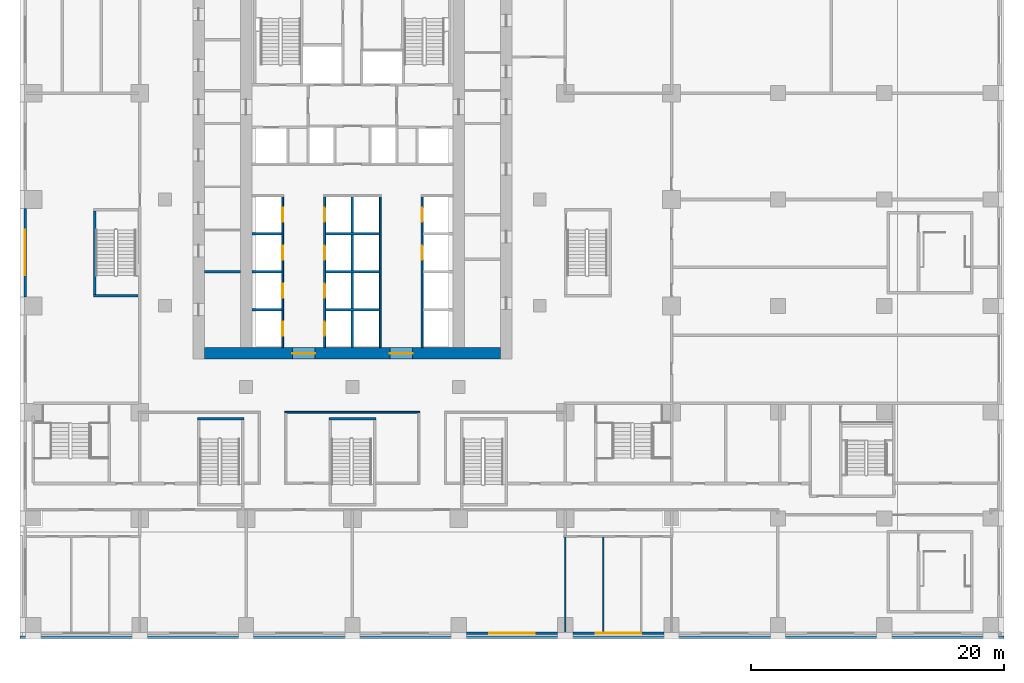
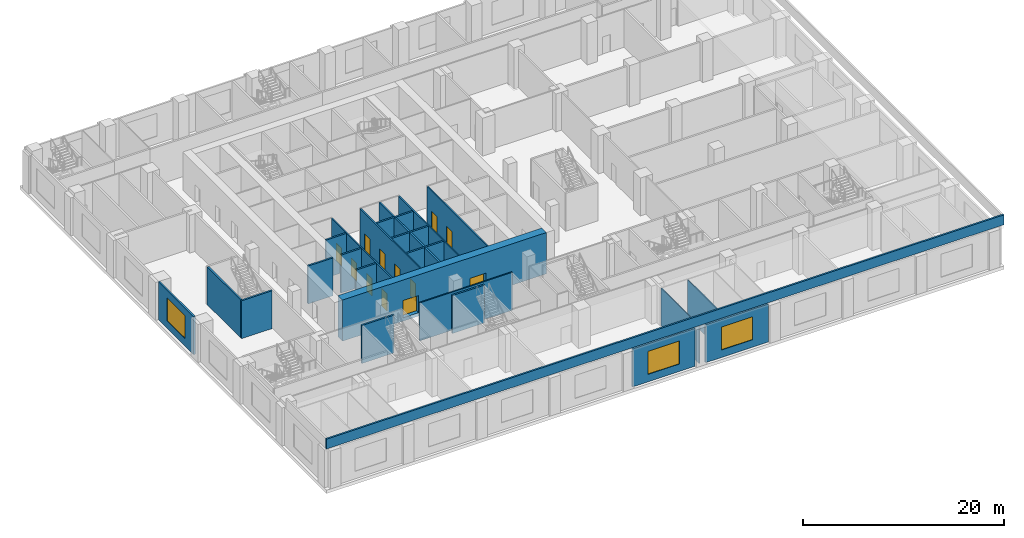
# One storey, part 5 of 23: 24 walls, 12 doors, 3 windows, 15 openings.
"""IFC4 building model written with IfcOpenShell, lengths in metres."""

from ifc_helpers import new_model, si_unit, direction, frame, frame_2d, origin, place, context, subcontext, project, spatial, rectangle, extrude, material, layer, layer_set, type_object, element, fill, save


model = new_model("IFC4")

# Units and contexts
model_context = context("Model", 3, precision=1e-05, world=origin(), true_north=direction((0.0, 1.0)))
body_context = subcontext(model_context, "Body", "Model", "MODEL_VIEW")
ifc_project = project(units=[si_unit("LENGTHUNIT", "METRE"), si_unit("AREAUNIT", "SQUARE_METRE"), si_unit("VOLUMEUNIT", "CUBIC_METRE"), si_unit("PLANEANGLEUNIT", "RADIAN"), si_unit("MASSUNIT", "GRAM", prefix="KILO")], contexts=[model_context])

# Site, building, storey
site_placement = place(None, origin())
site = spatial("IfcSite", under=ifc_project, at=site_placement, CompositionType="ELEMENT")
building_placement = place(site_placement, origin())
building = spatial("IfcBuilding", under=site, at=building_placement, Name="Vermilion Ogive Tower", CompositionType="ELEMENT")
storey_placement = place(building_placement, frame((0.0, 0.0, 20.0)))
storey = spatial("IfcBuildingStorey", under=building, at=storey_placement, Name="L03", CompositionType="ELEMENT", Elevation=20.0)

# Wall, openings, doors
ifc_material_1 = material(Name="Concrete B80", Category="concrete")
ifc_layer_1 = layer(ifc_material_1, 0.89990234375)
ifc_layer_set_1 = layer_set([ifc_layer_1], Name="Core wall 900 B80")
wall_type_1 = type_object("IfcWallType", Name="Core wall 900 B80", PredefinedType="SHEAR", material=ifc_layer_set_1)
wall_1_placement = place(storey_placement, frame((-11.699951171875, -7.949951171875, -0.39990234375), z_axis=(0.0, 0.0, 1.0), x_axis=(1.0, 0.0, 0.0)))
wall_1 = element("IfcWall", 1, at=wall_1_placement, inside=storey, type_object=wall_type_1, Name="L03-CORE-S", PredefinedType="SHEAR", context=body_context, shape_type="SweptSolid", body=[
    extrude(rectangle(XDim=23.39990234375, YDim=0.89990234375, at=frame_2d((11.699951171875, 0.0))), origin(), (0.0, 0.0, 1.0), 5.0),
])
opening_1_placement = place(wall_1_placement, frame((6.949951171875, 0.0, 0.39990234375)))
opening_1 = element("IfcOpeningElement", 2, at=opening_1_placement, cuts=wall_1, Name="Opening DAR007", PredefinedType="OPENING", context=body_context, shape_type="SweptSolid", body=[
    extrude(rectangle(XDim=1.800048828125, YDim=2.10009765625, at=frame_2d((0.89990234375, 1.050048828125))), frame((0.0, 0.4599609375, 0.0), z_axis=(0.0, -1.0, 0.0), x_axis=(1.0, 0.0, 0.0)), (0.0, 0.0, 1.0), 0.919921875),
])
opening_2_placement = place(wall_1_placement, frame((14.64990234375, 0.0, 0.39990234375)))
opening_2 = element("IfcOpeningElement", 3, at=opening_2_placement, cuts=wall_1, Name="Opening DAR008", PredefinedType="OPENING", context=body_context, shape_type="SweptSolid", body=[
    extrude(rectangle(XDim=1.800048828125, YDim=2.10009765625, at=frame_2d((0.89990234375, 1.050048828125))), frame((0.0, 0.4599609375, 0.0), z_axis=(0.0, -1.0, 0.0), x_axis=(1.0, 0.0, 0.0)), (0.0, 0.0, 1.0), 0.919921875),
])
ifc_material_2 = material(Name="Timber door leaf", Category="wood")
door_type_1 = type_object("IfcDoorType", Name="Core entry door 1800 x 2100 FD60S", OperationType="DOUBLE_DOOR_SINGLE_SWING", PredefinedType="DOOR", material=ifc_material_2)
door_1_placement = place(opening_1_placement, origin())
door_1 = element("IfcDoor", 4, at=door_1_placement, inside=storey, type_object=door_type_1, Name="L03-CK-XD1", OperationType="SINGLE_SWING_LEFT", OverallHeight=2.10009765625, OverallWidth=1.800048828125, PredefinedType="DOOR", context=body_context, shape_type="SweptSolid", body=[
    extrude(rectangle(XDim=1.800048828125, YDim=2.10009765625, at=frame_2d((0.89990234375, 1.050048828125))), frame((0.0, 0.02490234375, 0.0), z_axis=(0.0, -1.0, 0.0), x_axis=(1.0, 0.0, 0.0)), (0.0, 0.0, 1.0), 0.050048828125),
])
fill(opening_1, door_1)
door_2_placement = place(opening_2_placement, origin())
door_2 = element("IfcDoor", 5, at=door_2_placement, inside=storey, type_object=door_type_1, Name="L03-CK-XD2", OperationType="SINGLE_SWING_LEFT", OverallHeight=2.10009765625, OverallWidth=1.800048828125, PredefinedType="DOOR", context=body_context, shape_type="SweptSolid", body=[
    extrude(rectangle(XDim=1.800048828125, YDim=2.10009765625, at=frame_2d((0.89990234375, 1.050048828125))), frame((0.0, 0.02490234375, 0.0), z_axis=(0.0, -1.0, 0.0), x_axis=(1.0, 0.0, 0.0)), (0.0, 0.0, 1.0), 0.050048828125),
])
fill(opening_2, door_2)

# Walls
ifc_material_3 = material(Name="Gypsum board partition on steel studs", Category="steel")
ifc_layer_2 = layer(ifc_material_3, 0.10009765625)
ifc_layer_set_2 = layer_set([ifc_layer_2], Name="Partition 100 bath")
wall_type_2 = type_object("IfcWallType", Name="Partition 100 bath", PredefinedType="PARTITIONING", material=ifc_layer_set_2)
for number, where, z_axis, x_axis, name in (
    (6, (16.800048828125, -29.949951171875, 0.0), (0.0, 0.0, 1.0), (0.0, 1.0, 0.0), "L03-FS-W-W066"),
    (7, (19.800048828125, -29.949951171875, 0.0), (0.0, 0.0, 1.0), (0.0, 1.0, 0.0), "L03-FS-W-W073"),
):
    element("IfcWall", number, at=place(storey_placement, frame(where, z_axis=z_axis, x_axis=x_axis)), inside=storey, type_object=wall_type_2, Name=name, PredefinedType="PARTITIONING", context=body_context, shape_type="SweptSolid", body=[
        extrude(rectangle(XDim=7.5, YDim=0.10009765625, at=frame_2d((3.75, 0.0))), origin(), (0.0, 0.0, 1.0), 4.60009765625),
    ])
ifc_material_4 = material(Name="Gypsum board partition on steel studs", Category="steel")
ifc_layer_3 = layer(ifc_material_4, 0.14990234375)
ifc_layer_set_3 = layer_set([ifc_layer_3], Name="Partition 150 corridor")
wall_type_3 = type_object("IfcWallType", Name="Partition 150 corridor", PredefinedType="PARTITIONING", material=ifc_layer_set_3)
wall_2_placement = place(storey_placement, frame((-5.324951171875, -12.60009765625, 0.0), z_axis=(0.0, 0.0, 1.0), x_axis=(1.0, 0.0, 0.0)))
element("IfcWall", 8, at=wall_2_placement, inside=storey, type_object=wall_type_3, Name="L03-FS-W-W017", PredefinedType="PARTITIONING", context=body_context, shape_type="SweptSolid", body=[
    extrude(rectangle(XDim=10.64990234375, YDim=0.14990234375, at=frame_2d((5.324951171875, 0.0))), origin(), (0.0, 0.0, 1.0), 4.60009765625),
])

# Wall, openings, doors
wall_3_placement = place(storey_placement, frame((-5.5, -7.4990234375, 0.0), z_axis=(0.0, 0.0, 1.0), x_axis=(0.0, 1.0, 0.0)))
wall_3 = element("IfcWall", 9, at=wall_3_placement, inside=storey, type_object=wall_type_3, Name="L03-CK-W-W022", PredefinedType="PARTITIONING", context=body_context, shape_type="SweptSolid", body=[
    extrude(rectangle(XDim=11.924072265625, YDim=0.14990234375, at=frame_2d((5.9619140625, 0.0))), origin(), (0.0, 0.0, 1.0), 4.60009765625),
])
opening_3_placement = place(wall_3_placement, frame((0.948974609375, 0.0, 0.0)))
opening_3 = element("IfcOpeningElement", 10, at=opening_3_placement, cuts=wall_3, Name="Opening DAB087", PredefinedType="OPENING", context=body_context, shape_type="SweptSolid", body=[
    extrude(rectangle(XDim=1.10009765625, YDim=2.10009765625, at=frame_2d((0.550048828125, 1.050048828125))), frame((0.0, 0.0849609375, 0.0), z_axis=(0.0, -1.0, 0.0), x_axis=(1.0, 0.0, 0.0)), (0.0, 0.0, 1.0), 0.169921875),
])
opening_4_placement = place(wall_3_placement, frame((3.948974609375, 0.0, 0.0)))
opening_4 = element("IfcOpeningElement", 11, at=opening_4_placement, cuts=wall_3, Name="Opening DAB092", PredefinedType="OPENING", context=body_context, shape_type="SweptSolid", body=[
    extrude(rectangle(XDim=1.10009765625, YDim=2.10009765625, at=frame_2d((0.550048828125, 1.050048828125))), frame((0.0, 0.0849609375, 0.0), z_axis=(0.0, -1.0, 0.0), x_axis=(1.0, 0.0, 0.0)), (0.0, 0.0, 1.0), 0.169921875),
])
opening_5_placement = place(wall_3_placement, frame((6.948974609375, 0.0, 0.0)))
opening_5 = element("IfcOpeningElement", 12, at=opening_5_placement, cuts=wall_3, Name="Opening DAB093", PredefinedType="OPENING", context=body_context, shape_type="SweptSolid", body=[
    extrude(rectangle(XDim=1.10009765625, YDim=2.10009765625, at=frame_2d((0.550048828125, 1.050048828125))), frame((0.0, 0.0849609375, 0.0), z_axis=(0.0, -1.0, 0.0), x_axis=(1.0, 0.0, 0.0)), (0.0, 0.0, 1.0), 0.169921875),
])
opening_6_placement = place(wall_3_placement, frame((9.948974609375, 0.0, 0.0)))
opening_6 = element("IfcOpeningElement", 13, at=opening_6_placement, cuts=wall_3, Name="Opening DAB094", PredefinedType="OPENING", context=body_context, shape_type="SweptSolid", body=[
    extrude(rectangle(XDim=1.10009765625, YDim=2.10009765625, at=frame_2d((0.550048828125, 1.050048828125))), frame((0.0, 0.0849609375, 0.0), z_axis=(0.0, -1.0, 0.0), x_axis=(1.0, 0.0, 0.0)), (0.0, 0.0, 1.0), 0.169921875),
])
ifc_material_5 = material(Name="Stainless steel", Category="steel")
door_type_2 = type_object("IfcDoorType", Name="Lift landing door 1100 x 2100", OperationType="SLIDING_TO_LEFT", PredefinedType="DOOR", material=ifc_material_5)
door_3_placement = place(opening_3_placement, origin())
door_3 = element("IfcDoor", 14, at=door_3_placement, inside=storey, type_object=door_type_2, Name="L03-CK-D-D001", OperationType="SLIDING_TO_RIGHT", OverallHeight=2.10009765625, OverallWidth=1.10009765625, PredefinedType="DOOR", context=body_context, shape_type="SweptSolid", body=[
    extrude(rectangle(XDim=1.10009765625, YDim=2.10009765625, at=frame_2d((0.550048828125, 1.050048828125))), frame((0.0, 0.02490234375, 0.0), z_axis=(0.0, -1.0, 0.0), x_axis=(1.0, 0.0, 0.0)), (0.0, 0.0, 1.0), 0.050048828125),
])
fill(opening_3, door_3)
door_4_placement = place(opening_4_placement, origin())
door_4 = element("IfcDoor", 15, at=door_4_placement, inside=storey, type_object=door_type_2, Name="L03-CK-D-D002", OperationType="SLIDING_TO_RIGHT", OverallHeight=2.10009765625, OverallWidth=1.10009765625, PredefinedType="DOOR", context=body_context, shape_type="SweptSolid", body=[
    extrude(rectangle(XDim=1.10009765625, YDim=2.10009765625, at=frame_2d((0.550048828125, 1.050048828125))), frame((0.0, 0.02490234375, 0.0), z_axis=(0.0, -1.0, 0.0), x_axis=(1.0, 0.0, 0.0)), (0.0, 0.0, 1.0), 0.050048828125),
])
fill(opening_4, door_4)
door_5_placement = place(opening_5_placement, origin())
door_5 = element("IfcDoor", 16, at=door_5_placement, inside=storey, type_object=door_type_2, Name="L03-CK-D-D003", OperationType="SLIDING_TO_RIGHT", OverallHeight=2.10009765625, OverallWidth=1.10009765625, PredefinedType="DOOR", context=body_context, shape_type="SweptSolid", body=[
    extrude(rectangle(XDim=1.10009765625, YDim=2.10009765625, at=frame_2d((0.550048828125, 1.050048828125))), frame((0.0, 0.02490234375, 0.0), z_axis=(0.0, -1.0, 0.0), x_axis=(1.0, 0.0, 0.0)), (0.0, 0.0, 1.0), 0.050048828125),
])
fill(opening_5, door_5)
door_6_placement = place(opening_6_placement, origin())
door_6 = element("IfcDoor", 17, at=door_6_placement, inside=storey, type_object=door_type_2, Name="L03-CK-D-D004", OperationType="SLIDING_TO_RIGHT", OverallHeight=2.10009765625, OverallWidth=1.10009765625, PredefinedType="DOOR", context=body_context, shape_type="SweptSolid", body=[
    extrude(rectangle(XDim=1.10009765625, YDim=2.10009765625, at=frame_2d((0.550048828125, 1.050048828125))), frame((0.0, 0.02490234375, 0.0), z_axis=(0.0, -1.0, 0.0), x_axis=(1.0, 0.0, 0.0)), (0.0, 0.0, 1.0), 0.050048828125),
])
fill(opening_6, door_6)

wall_4_placement = place(storey_placement, frame((-2.199951171875, -7.4990234375, 0.0), z_axis=(0.0, 0.0, 1.0), x_axis=(0.0, 1.0, 0.0)))
wall_4 = element("IfcWall", 18, at=wall_4_placement, inside=storey, type_object=wall_type_3, Name="L03-CK-W-W027", PredefinedType="PARTITIONING", context=body_context, shape_type="SweptSolid", body=[
    extrude(rectangle(XDim=11.924072265625, YDim=0.14990234375, at=frame_2d((5.9619140625, 0.0))), origin(), (0.0, 0.0, 1.0), 4.60009765625),
])
opening_7_placement = place(wall_4_placement, frame((0.948974609375, 0.0, 0.0)))
opening_7 = element("IfcOpeningElement", 19, at=opening_7_placement, cuts=wall_4, Name="Opening DAB095", PredefinedType="OPENING", context=body_context, shape_type="SweptSolid", body=[
    extrude(rectangle(XDim=1.10009765625, YDim=2.10009765625, at=frame_2d((0.550048828125, 1.050048828125))), frame((0.0, 0.0849609375, 0.0), z_axis=(0.0, -1.0, 0.0), x_axis=(1.0, 0.0, 0.0)), (0.0, 0.0, 1.0), 0.169921875),
])
opening_8_placement = place(wall_4_placement, frame((3.948974609375, 0.0, 0.0)))
opening_8 = element("IfcOpeningElement", 20, at=opening_8_placement, cuts=wall_4, Name="Opening DAB096", PredefinedType="OPENING", context=body_context, shape_type="SweptSolid", body=[
    extrude(rectangle(XDim=1.10009765625, YDim=2.10009765625, at=frame_2d((0.550048828125, 1.050048828125))), frame((0.0, 0.0849609375, 0.0), z_axis=(0.0, -1.0, 0.0), x_axis=(1.0, 0.0, 0.0)), (0.0, 0.0, 1.0), 0.169921875),
])
opening_9_placement = place(wall_4_placement, frame((6.948974609375, 0.0, 0.0)))
opening_9 = element("IfcOpeningElement", 21, at=opening_9_placement, cuts=wall_4, Name="Opening DAB097", PredefinedType="OPENING", context=body_context, shape_type="SweptSolid", body=[
    extrude(rectangle(XDim=1.10009765625, YDim=2.10009765625, at=frame_2d((0.550048828125, 1.050048828125))), frame((0.0, 0.0849609375, 0.0), z_axis=(0.0, -1.0, 0.0), x_axis=(1.0, 0.0, 0.0)), (0.0, 0.0, 1.0), 0.169921875),
])
opening_10_placement = place(wall_4_placement, frame((9.948974609375, 0.0, 0.0)))
opening_10 = element("IfcOpeningElement", 22, at=opening_10_placement, cuts=wall_4, Name="Opening DAB098", PredefinedType="OPENING", context=body_context, shape_type="SweptSolid", body=[
    extrude(rectangle(XDim=1.10009765625, YDim=2.10009765625, at=frame_2d((0.550048828125, 1.050048828125))), frame((0.0, 0.0849609375, 0.0), z_axis=(0.0, -1.0, 0.0), x_axis=(1.0, 0.0, 0.0)), (0.0, 0.0, 1.0), 0.169921875),
])
door_7_placement = place(opening_7_placement, origin())
door_7 = element("IfcDoor", 23, at=door_7_placement, inside=storey, type_object=door_type_2, Name="L03-CK-D-D005", OperationType="SLIDING_TO_RIGHT", OverallHeight=2.10009765625, OverallWidth=1.10009765625, PredefinedType="DOOR", context=body_context, shape_type="SweptSolid", body=[
    extrude(rectangle(XDim=1.10009765625, YDim=2.10009765625, at=frame_2d((0.550048828125, 1.050048828125))), frame((0.0, 0.02490234375, 0.0), z_axis=(0.0, -1.0, 0.0), x_axis=(1.0, 0.0, 0.0)), (0.0, 0.0, 1.0), 0.050048828125),
])
fill(opening_7, door_7)
door_8_placement = place(opening_8_placement, origin())
door_8 = element("IfcDoor", 24, at=door_8_placement, inside=storey, type_object=door_type_2, Name="L03-CK-D-D006", OperationType="SLIDING_TO_RIGHT", OverallHeight=2.10009765625, OverallWidth=1.10009765625, PredefinedType="DOOR", context=body_context, shape_type="SweptSolid", body=[
    extrude(rectangle(XDim=1.10009765625, YDim=2.10009765625, at=frame_2d((0.550048828125, 1.050048828125))), frame((0.0, 0.02490234375, 0.0), z_axis=(0.0, -1.0, 0.0), x_axis=(1.0, 0.0, 0.0)), (0.0, 0.0, 1.0), 0.050048828125),
])
fill(opening_8, door_8)
door_9_placement = place(opening_9_placement, origin())
door_9 = element("IfcDoor", 25, at=door_9_placement, inside=storey, type_object=door_type_2, Name="L03-CK-D-D007", OperationType="SLIDING_TO_RIGHT", OverallHeight=2.10009765625, OverallWidth=1.10009765625, PredefinedType="DOOR", context=body_context, shape_type="SweptSolid", body=[
    extrude(rectangle(XDim=1.10009765625, YDim=2.10009765625, at=frame_2d((0.550048828125, 1.050048828125))), frame((0.0, 0.02490234375, 0.0), z_axis=(0.0, -1.0, 0.0), x_axis=(1.0, 0.0, 0.0)), (0.0, 0.0, 1.0), 0.050048828125),
])
fill(opening_9, door_9)
door_10_placement = place(opening_10_placement, origin())
door_10 = element("IfcDoor", 26, at=door_10_placement, inside=storey, type_object=door_type_2, Name="L03-CK-D-D008", OperationType="SLIDING_TO_RIGHT", OverallHeight=2.10009765625, OverallWidth=1.10009765625, PredefinedType="DOOR", context=body_context, shape_type="SweptSolid", body=[
    extrude(rectangle(XDim=1.10009765625, YDim=2.10009765625, at=frame_2d((0.550048828125, 1.050048828125))), frame((0.0, 0.02490234375, 0.0), z_axis=(0.0, -1.0, 0.0), x_axis=(1.0, 0.0, 0.0)), (0.0, 0.0, 1.0), 0.050048828125),
])
fill(opening_10, door_10)

# Wall
wall_5_placement = place(storey_placement, frame((2.199951171875, -7.4990234375, 0.0), z_axis=(0.0, 0.0, 1.0), x_axis=(0.0, 1.0, 0.0)))
element("IfcWall", 27, at=wall_5_placement, inside=storey, type_object=wall_type_3, Name="L03-CK-W-W034", PredefinedType="PARTITIONING", context=body_context, shape_type="SweptSolid", body=[
    extrude(rectangle(XDim=11.924072265625, YDim=0.14990234375, at=frame_2d((5.9619140625, 0.0))), origin(), (0.0, 0.0, 1.0), 4.60009765625),
])

# Wall, openings, doors
wall_6_placement = place(storey_placement, frame((5.5, -7.4990234375, 0.0), z_axis=(0.0, 0.0, 1.0), x_axis=(0.0, 1.0, 0.0)))
wall_6 = element("IfcWall", 28, at=wall_6_placement, inside=storey, type_object=wall_type_3, Name="L03-CK-W-W040", PredefinedType="PARTITIONING", context=body_context, shape_type="SweptSolid", body=[
    extrude(rectangle(XDim=11.924072265625, YDim=0.14990234375, at=frame_2d((5.9619140625, 0.0))), origin(), (0.0, 0.0, 1.0), 4.60009765625),
])
opening_11_placement = place(wall_6_placement, frame((6.948974609375, 0.0, 0.0)))
opening_11 = element("IfcOpeningElement", 29, at=opening_11_placement, cuts=wall_6, Name="Opening DAB099", PredefinedType="OPENING", context=body_context, shape_type="SweptSolid", body=[
    extrude(rectangle(XDim=1.10009765625, YDim=2.10009765625, at=frame_2d((0.550048828125, 1.050048828125))), frame((0.0, 0.0849609375, 0.0), z_axis=(0.0, -1.0, 0.0), x_axis=(1.0, 0.0, 0.0)), (0.0, 0.0, 1.0), 0.169921875),
])
opening_12_placement = place(wall_6_placement, frame((9.948974609375, 0.0, 0.0)))
opening_12 = element("IfcOpeningElement", 30, at=opening_12_placement, cuts=wall_6, Name="Opening DAB088", PredefinedType="OPENING", context=body_context, shape_type="SweptSolid", body=[
    extrude(rectangle(XDim=1.10009765625, YDim=2.10009765625, at=frame_2d((0.550048828125, 1.050048828125))), frame((0.0, 0.0849609375, 0.0), z_axis=(0.0, -1.0, 0.0), x_axis=(1.0, 0.0, 0.0)), (0.0, 0.0, 1.0), 0.169921875),
])
door_11_placement = place(opening_11_placement, origin())
door_11 = element("IfcDoor", 31, at=door_11_placement, inside=storey, type_object=door_type_2, Name="L03-CK-D-D009", OperationType="SLIDING_TO_RIGHT", OverallHeight=2.10009765625, OverallWidth=1.10009765625, PredefinedType="DOOR", context=body_context, shape_type="SweptSolid", body=[
    extrude(rectangle(XDim=1.10009765625, YDim=2.10009765625, at=frame_2d((0.550048828125, 1.050048828125))), frame((0.0, 0.02490234375, 0.0), z_axis=(0.0, -1.0, 0.0), x_axis=(1.0, 0.0, 0.0)), (0.0, 0.0, 1.0), 0.050048828125),
])
fill(opening_11, door_11)
door_12_placement = place(opening_12_placement, origin())
door_12 = element("IfcDoor", 32, at=door_12_placement, inside=storey, type_object=door_type_2, Name="L03-CK-D-D010", OperationType="SLIDING_TO_RIGHT", OverallHeight=2.10009765625, OverallWidth=1.10009765625, PredefinedType="DOOR", context=body_context, shape_type="SweptSolid", body=[
    extrude(rectangle(XDim=1.10009765625, YDim=2.10009765625, at=frame_2d((0.550048828125, 1.050048828125))), frame((0.0, 0.02490234375, 0.0), z_axis=(0.0, -1.0, 0.0), x_axis=(1.0, 0.0, 0.0)), (0.0, 0.0, 1.0), 0.050048828125),
])
fill(opening_12, door_12)

# Walls
ifc_material_6 = material(Name="Gypsum board partition on steel studs", Category="steel")
ifc_layer_4 = layer(ifc_material_6, 0.199951171875)
ifc_layer_set_4 = layer_set([ifc_layer_4], Name="Partition 200 party")
wall_type_4 = type_object("IfcWallType", Name="Partition 200 party", PredefinedType="PARTITIONING", material=ifc_layer_set_4)
wall_7_placement = place(storey_placement, frame((-7.948974609375, -4.5, 0.0), z_axis=(0.0, 0.0, 1.0), x_axis=(1.0, 0.0, 0.0)))
element("IfcWall", 33, at=wall_7_placement, inside=storey, type_object=wall_type_4, Name="L03-CK-W-W001", PredefinedType="PARTITIONING", context=body_context, shape_type="SweptSolid", body=[
    extrude(rectangle(XDim=2.3740234375, YDim=0.199951171875, at=frame_2d((1.18701171875, 0.0))), origin(), (0.0, 0.0, 1.0), 4.60009765625),
])
wall_8_placement = place(storey_placement, frame((-2.125, -4.5, 0.0), z_axis=(0.0, 0.0, 1.0), x_axis=(1.0, 0.0, 0.0)))
element("IfcWall", 34, at=wall_8_placement, inside=storey, type_object=wall_type_4, Name="L03-CK-W-W002", PredefinedType="PARTITIONING", context=body_context, shape_type="SweptSolid", body=[
    extrude(rectangle(XDim=4.25, YDim=0.199951171875, at=frame_2d((2.125, 0.0))), origin(), (0.0, 0.0, 1.0), 4.60009765625),
])
wall_9_placement = place(storey_placement, frame((-7.948974609375, -1.5, 0.0), z_axis=(0.0, 0.0, 1.0), x_axis=(1.0, 0.0, 0.0)))
element("IfcWall", 35, at=wall_9_placement, inside=storey, type_object=wall_type_4, Name="L03-CK-W-W004", PredefinedType="PARTITIONING", context=body_context, shape_type="SweptSolid", body=[
    extrude(rectangle(XDim=2.3740234375, YDim=0.199951171875, at=frame_2d((1.18701171875, 0.0))), origin(), (0.0, 0.0, 1.0), 4.60009765625),
])
wall_10_placement = place(storey_placement, frame((-2.125, -1.5, 0.0), z_axis=(0.0, 0.0, 1.0), x_axis=(1.0, 0.0, 0.0)))
element("IfcWall", 36, at=wall_10_placement, inside=storey, type_object=wall_type_4, Name="L03-CK-W-W005", PredefinedType="PARTITIONING", context=body_context, shape_type="SweptSolid", body=[
    extrude(rectangle(XDim=4.25, YDim=0.199951171875, at=frame_2d((2.125, 0.0))), origin(), (0.0, 0.0, 1.0), 4.60009765625),
])
wall_11_placement = place(storey_placement, frame((-7.948974609375, 1.5, 0.0), z_axis=(0.0, 0.0, 1.0), x_axis=(1.0, 0.0, 0.0)))
element("IfcWall", 37, at=wall_11_placement, inside=storey, type_object=wall_type_4, Name="L03-CK-W-W007", PredefinedType="PARTITIONING", context=body_context, shape_type="SweptSolid", body=[
    extrude(rectangle(XDim=2.3740234375, YDim=0.199951171875, at=frame_2d((1.18701171875, 0.0))), origin(), (0.0, 0.0, 1.0), 4.60009765625),
])
wall_12_placement = place(storey_placement, frame((-2.125, 1.5, 0.0), z_axis=(0.0, 0.0, 1.0), x_axis=(1.0, 0.0, 0.0)))
element("IfcWall", 38, at=wall_12_placement, inside=storey, type_object=wall_type_4, Name="L03-CK-W-W008", PredefinedType="PARTITIONING", context=body_context, shape_type="SweptSolid", body=[
    extrude(rectangle(XDim=4.25, YDim=0.199951171875, at=frame_2d((2.125, 0.0))), origin(), (0.0, 0.0, 1.0), 4.60009765625),
])
wall_13_placement = place(storey_placement, frame((0.0, -7.4990234375, 0.0), z_axis=(0.0, 0.0, 1.0), x_axis=(0.0, 1.0, 0.0)))
element("IfcWall", 39, at=wall_13_placement, inside=storey, type_object=wall_type_4, Name="L03-CK-W-W030", PredefinedType="PARTITIONING", context=body_context, shape_type="SweptSolid", body=[
    extrude(rectangle(XDim=11.924072265625, YDim=0.199951171875, at=frame_2d((5.9619140625, 0.0))), origin(), (0.0, 0.0, 1.0), 4.60009765625),
])
wall_14_placement = place(storey_placement, frame((-11.698974609375, -1.5, 0.0), z_axis=(0.0, 0.0, 1.0), x_axis=(1.0, 0.0, 0.0)))
element("IfcWall", 40, at=wall_14_placement, inside=storey, type_object=wall_type_4, Name="L03-CKW-W-W001", PredefinedType="PARTITIONING", context=body_context, shape_type="SweptSolid", body=[
    extrude(rectangle(XDim=2.847900390625, YDim=0.199951171875, at=frame_2d((1.423828125, 0.0))), origin(), (0.0, 0.0, 1.0), 4.60009765625),
])
ifc_material_7 = material(Name="Concrete B60", Category="concrete")
ifc_layer_5 = layer(ifc_material_7, 0.199951171875)
ifc_layer_set_5 = layer_set([ifc_layer_5], Name="Stair shaft wall 200 Concrete B60")
wall_type_5 = type_object("IfcWallType", Name="Stair shaft wall 200 Concrete B60", PredefinedType="SOLIDWALL", material=ifc_layer_set_5)
wall_15_placement = place(storey_placement, frame((-12.25, -13.10009765625, 0.0), z_axis=(0.0, 0.0, 1.0), x_axis=(1.0, 0.0, 0.0)))
element("IfcWall", 41, at=wall_15_placement, inside=storey, type_object=wall_type_5, Name="L03-SW-ST3-N1", PredefinedType="SOLIDWALL", context=body_context, shape_type="SweptSolid", body=[
    extrude(rectangle(XDim=3.699951171875, YDim=0.199951171875, at=frame_2d((1.85009765625, 0.0))), origin(), (0.0, 0.0, 1.0), 4.60009765625),
])
wall_16_placement = place(storey_placement, frame((-1.85009765625, -13.10009765625, 0.0), z_axis=(0.0, 0.0, 1.0), x_axis=(1.0, 0.0, 0.0)))
element("IfcWall", 42, at=wall_16_placement, inside=storey, type_object=wall_type_5, Name="L03-SW-ST4-N1", PredefinedType="SOLIDWALL", context=body_context, shape_type="SweptSolid", body=[
    extrude(rectangle(XDim=3.7001953125, YDim=0.199951171875, at=frame_2d((1.85009765625, 0.0))), origin(), (0.0, 0.0, 1.0), 4.60009765625),
])
wall_17_placement = place(storey_placement, frame((-20.449951171875, -3.39990234375, 0.0), z_axis=(0.0, 0.0, 1.0), x_axis=(1.0, 0.0, 0.0)))
element("IfcWall", 43, at=wall_17_placement, inside=storey, type_object=wall_type_5, Name="L03-SW-ST9-S1", PredefinedType="SOLIDWALL", context=body_context, shape_type="SweptSolid", body=[
    extrude(rectangle(XDim=3.52490234375, YDim=0.199951171875, at=frame_2d((1.762451171875, 0.0))), origin(), (0.0, 0.0, 1.0), 4.60009765625),
])
wall_18_placement = place(storey_placement, frame((-20.35009765625, -3.300048828125, 0.0), z_axis=(0.0, 0.0, 1.0), x_axis=(0.0, 1.0, 0.0)))
element("IfcWall", 44, at=wall_18_placement, inside=storey, type_object=wall_type_5, Name="L03-SW-ST9-W1", PredefinedType="SOLIDWALL", context=body_context, shape_type="SweptSolid", body=[
    extrude(rectangle(XDim=6.60009765625, YDim=0.199951171875, at=frame_2d((3.300048828125, 0.0))), origin(), (0.0, 0.0, 1.0), 4.60009765625),
])
ifc_material_8 = material(Name="Concrete B45", Category="concrete")
ifc_layer_6 = layer(ifc_material_8, 0.199951171875)
ifc_layer_set_6 = layer_set([ifc_layer_6], Name="Terrace parapet RC Concrete B45")
wall_type_6 = type_object("IfcWallType", Name="Terrace parapet RC Concrete B45", PredefinedType="PARAPET", material=ifc_layer_set_6)
wall_19_placement = place(storey_placement, frame((-26.25, -30.35009765625, 5.0), z_axis=(0.0, 0.0, 1.0), x_axis=(1.0, 0.0, 0.0)))
element("IfcWall", 45, at=wall_19_placement, inside=storey, type_object=wall_type_6, Name="L03 terrace parapet 1", PredefinedType="PARAPET", context=body_context, shape_type="SweptSolid", body=[
    extrude(rectangle(XDim=77.699951171875, YDim=0.199951171875, at=frame_2d((38.85009765625, 0.0))), origin(), (0.0, 0.0, 1.0), 1.199951171875),
])

# Wall, opening, window
ifc_material_9 = material(Name="Aluminium window wall framing", Category="aluminium")
ifc_layer_7 = layer(ifc_material_9, 0.199951171875)
ifc_layer_set_7 = layer_set([ifc_layer_7], Name="Window wall")
wall_type_7 = type_object("IfcWallType", Name="Window wall", PredefinedType="STANDARD", material=ifc_layer_set_7)
wall_20_placement = place(storey_placement, frame((9.0, -30.050048828125, 0.0), z_axis=(0.0, 0.0, 1.0), x_axis=(1.0, 0.0, 0.0)))
wall_20 = element("IfcWall", 46, at=wall_20_placement, inside=storey, type_object=wall_type_7, Name="Window wall S5", PredefinedType="STANDARD", context=body_context, shape_type="SweptSolid", body=[
    extrude(rectangle(XDim=7.199951171875, YDim=0.199951171875, at=frame_2d((3.60009765625, 0.0))), origin(), (0.0, 0.0, 1.0), 4.60009765625),
])
opening_13_placement = place(wall_20_placement, frame((1.800048828125, 0.0, 0.89990234375)))
opening_13 = element("IfcOpeningElement", 47, at=opening_13_placement, cuts=wall_20, Name="Opening P-S5", PredefinedType="OPENING", context=body_context, shape_type="SweptSolid", body=[
    extrude(rectangle(XDim=3.60009765625, YDim=2.800048828125, at=frame_2d((1.800048828125, 1.39990234375))), frame((0.0, 0.10986328125, 0.0), z_axis=(0.0, -1.0, 0.0), x_axis=(1.0, 0.0, 0.0)), (0.0, 0.0, 1.0), 0.219970703125),
])
ifc_material_10 = material(Name="Aluminium framed double glazing", Category="aluminium")
window_type = type_object("IfcWindowType", Name="Podium window P 3600x2800 sill 900", PartitioningType="SINGLE_PANEL", PredefinedType="WINDOW", material=ifc_material_10)
window_1_placement = place(opening_13_placement, origin())
window_1 = element("IfcWindow", 48, at=window_1_placement, inside=storey, type_object=window_type, Name="Window S5", OverallHeight=2.800048828125, OverallWidth=3.60009765625, PartitioningType="SINGLE_PANEL", PredefinedType="WINDOW", context=body_context, shape_type="SweptSolid", body=[
    extrude(rectangle(XDim=3.60009765625, YDim=2.800048828125, at=frame_2d((1.800048828125, 1.39990234375))), frame((0.0, 0.030029296875, 0.0), z_axis=(0.0, -1.0, 0.0), x_axis=(1.0, 0.0, 0.0)), (0.0, 0.0, 1.0), 0.06005859375),
])
fill(opening_13, window_1)

wall_21_placement = place(storey_placement, frame((17.39990234375, -30.050048828125, 0.0), z_axis=(0.0, 0.0, 1.0), x_axis=(1.0, 0.0, 0.0)))
wall_21 = element("IfcWall", 49, at=wall_21_placement, inside=storey, type_object=wall_type_7, Name="Window wall S6", PredefinedType="STANDARD", context=body_context, shape_type="SweptSolid", body=[
    extrude(rectangle(XDim=7.2001953125, YDim=0.199951171875, at=frame_2d((3.60009765625, 0.0))), origin(), (0.0, 0.0, 1.0), 4.60009765625),
])
opening_14_placement = place(wall_21_placement, frame((1.800048828125, 0.0, 0.89990234375)))
opening_14 = element("IfcOpeningElement", 50, at=opening_14_placement, cuts=wall_21, Name="Opening P-S6", PredefinedType="OPENING", context=body_context, shape_type="SweptSolid", body=[
    extrude(rectangle(XDim=3.60009765625, YDim=2.800048828125, at=frame_2d((1.800048828125, 1.39990234375))), frame((0.0, 0.10986328125, 0.0), z_axis=(0.0, -1.0, 0.0), x_axis=(1.0, 0.0, 0.0)), (0.0, 0.0, 1.0), 0.219970703125),
])
window_2_placement = place(opening_14_placement, origin())
window_2 = element("IfcWindow", 51, at=window_2_placement, inside=storey, type_object=window_type, Name="Window S6", OverallHeight=2.800048828125, OverallWidth=3.60009765625, PartitioningType="SINGLE_PANEL", PredefinedType="WINDOW", context=body_context, shape_type="SweptSolid", body=[
    extrude(rectangle(XDim=3.60009765625, YDim=2.800048828125, at=frame_2d((1.800048828125, 1.39990234375))), frame((0.0, 0.030029296875, 0.0), z_axis=(0.0, -1.0, 0.0), x_axis=(1.0, 0.0, 0.0)), (0.0, 0.0, 1.0), 0.06005859375),
])
fill(opening_14, window_2)

wall_22_placement = place(storey_placement, frame((-25.85009765625, 3.5, 0.0), z_axis=(0.0, 0.0, 1.0), x_axis=(0.0, -1.0, 0.0)))
wall_22 = element("IfcWall", 52, at=wall_22_placement, inside=storey, type_object=wall_type_7, Name="Window wall W4", PredefinedType="STANDARD", context=body_context, shape_type="SweptSolid", body=[
    extrude(rectangle(XDim=7.0, YDim=0.199951171875, at=frame_2d((3.5, 0.0))), origin(), (0.0, 0.0, 1.0), 4.60009765625),
])
opening_15_placement = place(wall_22_placement, frame((1.699951171875, 0.0, 0.89990234375)))
opening_15 = element("IfcOpeningElement", 53, at=opening_15_placement, cuts=wall_22, Name="Opening P-W4", PredefinedType="OPENING", context=body_context, shape_type="SweptSolid", body=[
    extrude(rectangle(XDim=3.60009765625, YDim=2.800048828125, at=frame_2d((1.800048828125, 1.39990234375))), frame((0.0, 0.10986328125, 0.0), z_axis=(0.0, -1.0, 0.0), x_axis=(1.0, 0.0, 0.0)), (0.0, 0.0, 1.0), 0.219970703125),
])
window_3_placement = place(opening_15_placement, origin())
window_3 = element("IfcWindow", 54, at=window_3_placement, inside=storey, type_object=window_type, Name="Window W4", OverallHeight=2.800048828125, OverallWidth=3.60009765625, PartitioningType="SINGLE_PANEL", PredefinedType="WINDOW", context=body_context, shape_type="SweptSolid", body=[
    extrude(rectangle(XDim=3.60009765625, YDim=2.800048828125, at=frame_2d((1.800048828125, 1.39990234375))), frame((0.0, 0.030029296875, 0.0), z_axis=(0.0, -1.0, 0.0), x_axis=(1.0, 0.0, 0.0)), (0.0, 0.0, 1.0), 0.06005859375),
])
fill(opening_15, window_3)

save(model, "model.ifc")
